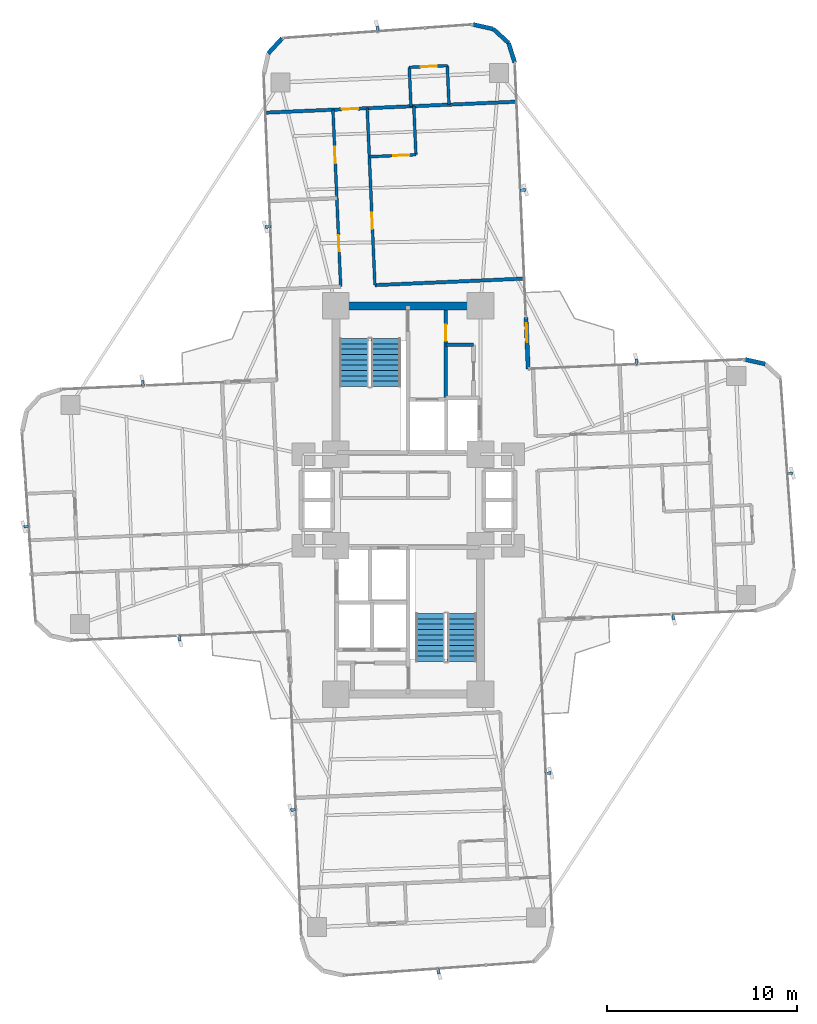
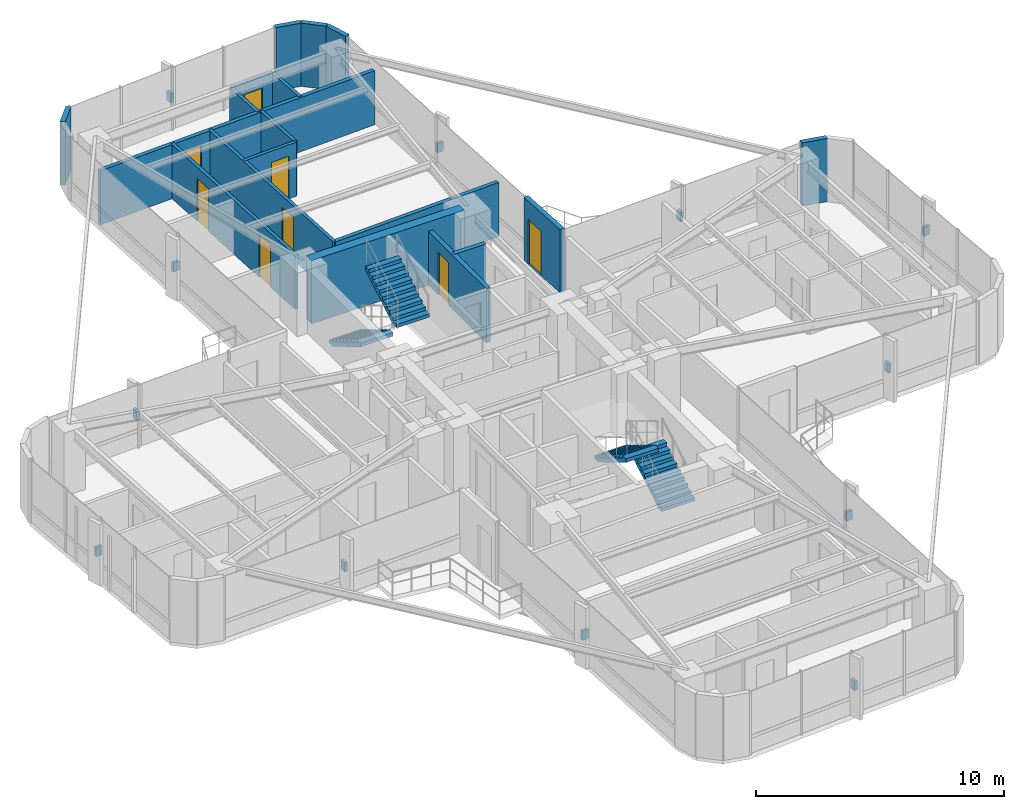
# One storey, part 25 of 26: 18 walls, 12 discrete accessories, 8 doors, 4 stair flights, 8 openings, 2 elements without a shape of their own.
"""IFC4 building model written with IfcOpenShell, lengths in metres."""

import ifcopenshell
import ifcopenshell.guid

model = None  # the IFC model being written
_history = None  # IfcOwnerHistory: only IFC2X3 demands one
_inside = {}  # id of a spatial element -> (the spatial element, [elements in it])
_under = {}  # id of a project, library or spatial element -> (it, [spatial elements below it])
_declared = {}  # id of a project -> (the project, [libraries it declares])
_typed = {}  # id of a type object -> (the type object, [elements of that type])
_made_of = {}  # id of a material, layer set ... -> (it, [elements and type objects made of it])


def new_model(schema):
    """Start an empty IFC model of exactly this schema.

    Asked for "IFC4X3", IfcOpenShell would pick the latest addendum, in which some entities
    have other attributes; the version numbers below select the first issue.
    IFC2X3 requires an IfcOwnerHistory on every rooted entity: one is made here for all.
    """
    global model, _history
    if schema == "IFC4X3":
        model = ifcopenshell.file(schema_version=(4, 3, 0, 0))
    else:
        model = ifcopenshell.file(schema=schema)
    _inside.clear()
    _under.clear()
    _declared.clear()
    _typed.clear()
    _made_of.clear()
    _history = None
    if model.schema == "IFC2X3":
        org = make("IfcOrganization", Name="unknown")
        user = make(
            "IfcPersonAndOrganization",
            ThePerson=make("IfcPerson", FamilyName="unknown"),
            TheOrganization=org,
        )
        app = make(
            "IfcApplication",
            ApplicationDeveloper=org,
            Version="unknown",
            ApplicationFullName="unknown",
            ApplicationIdentifier="unknown",
        )
        _history = make(
            "IfcOwnerHistory",
            OwningUser=user,
            OwningApplication=app,
            ChangeAction="ADDED",
            CreationDate=0,
        )
    return model


def make(cls, **values):
    """One entity of the class cls with the attributes given. An attribute that is None is left unset."""
    return model.create_entity(
        cls, **{name: value for name, value in values.items() if value is not None}
    )


def rooted(cls, **values):
    """An entity with a GlobalId (a new one), such as an element, a storey or a relation."""
    return make(cls, GlobalId=ifcopenshell.guid.new(), OwnerHistory=_history, **values)


def si_unit(unit_type, name, prefix=None):
    """IfcSIUnit, for example si_unit("LENGTHUNIT", "METRE", prefix="MILLI")."""
    return make("IfcSIUnit", UnitType=unit_type, Prefix=prefix, Name=name)


def assignment(units):
    """IfcUnitAssignment: the units of a project."""
    return None if units is None else make("IfcUnitAssignment", Units=units)


def point(xyz):
    """IfcCartesianPoint."""
    return None if xyz is None else make("IfcCartesianPoint", Coordinates=xyz)


def direction(xyz):
    """IfcDirection."""
    return None if xyz is None else make("IfcDirection", DirectionRatios=xyz)


def frame(location, z_axis=None, x_axis=None):
    """IfcAxis2Placement3D, a coordinate frame: its origin and axes. An axis left out is left unset."""
    return make(
        "IfcAxis2Placement3D",
        Location=point(location),
        Axis=direction(z_axis),
        RefDirection=direction(x_axis),
    )


def frame_2d(location, x_axis=None):
    """IfcAxis2Placement2D, a coordinate frame in the plane: its origin and x axis."""
    return make(
        "IfcAxis2Placement2D", Location=point(location), RefDirection=direction(x_axis)
    )


def origin():
    """The frame at (0, 0, 0) with its axes left unset."""
    return frame((0.0, 0.0, 0.0))


def origin_2d():
    """The frame at (0, 0) in the plane with its x axis left unset."""
    return frame_2d((0.0, 0.0))


def place(relative_to, where):
    """IfcLocalPlacement: puts the frame where relative to a parent placement (None: the world)."""
    return make(
        "IfcLocalPlacement", PlacementRelTo=relative_to, RelativePlacement=where
    )


def context(
    kind, dimensions, precision=None, world=None, true_north=None, identifier=None
):
    """IfcGeometricRepresentationContext, for example the 3D "Model" context."""
    return make(
        "IfcGeometricRepresentationContext",
        ContextIdentifier=identifier,
        ContextType=kind,
        CoordinateSpaceDimension=dimensions,
        Precision=precision,
        WorldCoordinateSystem=world,
        TrueNorth=true_north,
    )


def subcontext(parent, identifier, kind, view, scale=None):
    """IfcGeometricRepresentationSubContext, for example "Body" below "Model"."""
    return make(
        "IfcGeometricRepresentationSubContext",
        ContextIdentifier=identifier,
        ContextType=kind,
        ParentContext=parent,
        TargetScale=scale,
        TargetView=view,
    )


def project(units=None, contexts=None):
    """IfcProject with its units and contexts."""
    return rooted(
        "IfcProject",
        Name="project",
        RepresentationContexts=contexts,
        UnitsInContext=assignment(units),
    )


def spatial(cls, under=None, at=None, **own):
    """A site, building, storey or space (cls), placed at a placement, below another one or the project."""
    s = rooted(cls, ObjectPlacement=at, **own)
    if under is not None:
        _under.setdefault(under.id(), (under, []))[1].append(s)
    return s


def polyline(points):
    """IfcPolyline through the points."""
    return make("IfcPolyline", Points=[point(p) for p in points])


def profile(cls, at=None, kind="AREA", **sizes):
    """A parametric profile (cls). Its sizes go by their IFC names, for example OverallWidth=200.0."""
    return make(cls, ProfileType=kind, Position=at, **sizes)


def rectangle(**sizes):
    """IfcRectangleProfileDef."""
    return profile("IfcRectangleProfileDef", **sizes)


def outline(outer, holes=None, kind="AREA"):
    """IfcArbitraryClosedProfileDef: a profile drawn as a closed curve; with holes, ...WithVoids."""
    if holes is None:
        return make("IfcArbitraryClosedProfileDef", ProfileType=kind, OuterCurve=outer)
    return make(
        "IfcArbitraryProfileDefWithVoids",
        ProfileType=kind,
        OuterCurve=outer,
        InnerCurves=holes,
    )


def extrude(swept, where, along, depth):
    """IfcExtrudedAreaSolid: the profile swept, set in the frame where, extruded along a direction by depth."""
    return make(
        "IfcExtrudedAreaSolid",
        SweptArea=swept,
        Position=where,
        ExtrudedDirection=direction(along),
        Depth=depth,
    )


def shape(context_of_items, identifier, shape_type, items):
    """IfcShapeRepresentation: the items that make up one representation, for example the "Body"."""
    return make(
        "IfcShapeRepresentation",
        ContextOfItems=context_of_items,
        RepresentationIdentifier=identifier,
        RepresentationType=shape_type,
        Items=items,
    )


def source(mapping_origin, context_of_items, identifier, shape_type, items):
    """IfcRepresentationMap: a shape defined once, which mapped items show again and again."""
    return make(
        "IfcRepresentationMap",
        MappingOrigin=mapping_origin,
        MappedRepresentation=shape(context_of_items, identifier, shape_type, items),
    )


def transform(
    local_origin,
    x_axis=None,
    y_axis=None,
    z_axis=None,
    scale=None,
    scale2=None,
    scale3=None,
    uniform=True,
):
    """IfcCartesianTransformationOperator3D, or its non-uniform kind. x_axis, y_axis, z_axis: its Axis1, 2, 3."""
    if uniform:
        return make(
            "IfcCartesianTransformationOperator3D",
            Axis1=direction(x_axis),
            Axis2=direction(y_axis),
            LocalOrigin=point(local_origin),
            Scale=scale,
            Axis3=direction(z_axis),
        )
    return make(
        "IfcCartesianTransformationOperator3DnonUniform",
        Axis1=direction(x_axis),
        Axis2=direction(y_axis),
        LocalOrigin=point(local_origin),
        Scale=scale,
        Axis3=direction(z_axis),
        Scale2=scale2,
        Scale3=scale3,
    )


def mapped(mapping_source, mapping_target):
    """IfcMappedItem: shows the shape of a source again, moved by a transform."""
    return make(
        "IfcMappedItem", MappingSource=mapping_source, MappingTarget=mapping_target
    )


def material(Name=None, Category=None):
    """IfcMaterial."""
    return make("IfcMaterial", Name=Name, Category=Category)


def layer(
    of_material, thickness, ventilated=None, Name=None, Category=None, Priority=None
):
    """IfcMaterialLayer: one layer of a wall or slab, of a material (None: an air gap)."""
    return make(
        "IfcMaterialLayer",
        Material=of_material,
        LayerThickness=thickness,
        IsVentilated=ventilated,
        Name=Name,
        Category=Category,
        Priority=Priority,
    )


def layer_set(layers, Name=None):
    """IfcMaterialLayerSet."""
    return make("IfcMaterialLayerSet", MaterialLayers=layers, LayerSetName=Name)


def made_of(thing, what):
    """Note that an element or type object is made of a material, layer set ...; save() writes the relation."""
    if what is not None:
        _made_of.setdefault(what.id(), (what, []))[1].append(thing)
    return thing


def type_object(cls, material=None, **own):
    """A type object (cls), such as IfcWallType, which elements share."""
    return made_of(rooted(cls, **own), material)


def element(
    cls,
    number,
    at=None,
    inside=None,
    cuts=None,
    type_object=None,
    material=None,
    context=None,
    identifier="Body",
    shape_type=None,
    held_by="IfcProductDefinitionShape",
    body=None,
    shapes=None,
    **own,
):
    """One element of the class cls, such as IfcWall. Its Tag is "e" and its number.

    at: its placement. inside: the storey or other place that contains it. cuts: it is an
    opening in that element (IfcRelVoidsElement). A single representation is given by context,
    identifier, shape_type and body (its items); several are given by shapes. held_by: the class
    of the entity that holds the representations. save() writes the other relations.
    """
    e = rooted(cls, Tag="e%d" % number, ObjectPlacement=at, **own)
    if body is not None:
        shapes = [shape(context, identifier, shape_type, body)]
    if shapes is not None:
        e.Representation = make(held_by, Representations=shapes)
    if inside is not None:
        _inside.setdefault(inside.id(), (inside, []))[1].append(e)
    if cuts is not None:
        rooted(
            "IfcRelVoidsElement", RelatingBuildingElement=cuts, RelatedOpeningElement=e
        )
    if type_object is not None:
        _typed.setdefault(type_object.id(), (type_object, []))[1].append(e)
    return made_of(e, material)


def fill(opening, filler):
    """IfcRelFillsElement: the door or window that sits in an opening."""
    return rooted(
        "IfcRelFillsElement",
        RelatingOpeningElement=opening,
        RelatedBuildingElement=filler,
    )


def aggregate(whole, parts):
    """IfcRelAggregates: a whole, such as a stair, and the parts it consists of."""
    return rooted("IfcRelAggregates", RelatingObject=whole, RelatedObjects=parts)


def save(model, path):
    """Write the relations noted so far, then the file.

    IfcRelAggregates (storeys below a building ...), IfcRelContainedInSpatialStructure (elements
    in a storey), IfcRelDefinesByType, IfcRelAssociatesMaterial and IfcRelDeclares: one each for
    every whole, place, type object, material and project.
    """
    for whole, parts in _under.values():
        aggregate(whole, parts)
    for where, things in _inside.values():
        rooted(
            "IfcRelContainedInSpatialStructure",
            RelatedElements=things,
            RelatingStructure=where,
        )
    for kind, things in _typed.values():
        rooted("IfcRelDefinesByType", RelatedObjects=things, RelatingType=kind)
    for what, things in _made_of.values():
        rooted("IfcRelAssociatesMaterial", RelatedObjects=things, RelatingMaterial=what)
    for by, libraries in _declared.values():
        rooted("IfcRelDeclares", RelatingContext=by, RelatedDefinitions=libraries)
    model.write(path)


model = new_model("IFC4")

# Units and contexts
model_context = context("Model", 3, precision=1e-05, world=origin(), true_north=direction((0.0, 1.0)))
body_context = subcontext(model_context, "Body", "Model", "MODEL_VIEW")
ifc_project = project(units=[si_unit("LENGTHUNIT", "METRE"), si_unit("AREAUNIT", "SQUARE_METRE"), si_unit("VOLUMEUNIT", "CUBIC_METRE"), si_unit("PLANEANGLEUNIT", "RADIAN"), si_unit("MASSUNIT", "GRAM", prefix="KILO")], contexts=[model_context])

# Site, building, storey
site_placement = place(None, origin())
site = spatial("IfcSite", under=ifc_project, at=site_placement, CompositionType="ELEMENT")
building_placement = place(site_placement, origin())
building = spatial("IfcBuilding", under=site, at=building_placement, Name="Sahyath Konkavel Grand Hotel", CompositionType="ELEMENT")
storey_placement = place(building_placement, frame((0.0, 0.0, 114.800048828125)))
storey = spatial("IfcBuildingStorey", under=building, at=storey_placement, Name="L31", CompositionType="ELEMENT", Elevation=114.800048828125)

# Walls
ifc_material_1 = material(Name="Concrete C50/60", Category="concrete")
ifc_layer_1 = layer(ifc_material_1, 0.419921875)
ifc_layer_set_1 = layer_set([ifc_layer_1], Name="Concrete C50/60")
wall_type_1 = type_object("IfcWallType", Name="CWALL-420", PredefinedType="SHEAR", material=ifc_layer_set_1)
wall_1_placement = place(storey_placement, frame((-3.550048828125, 10.199951171875, 0.0), z_axis=(0.0, 0.0, 1.0), x_axis=(1.0, 0.0, 0.0)))
element("IfcWall", 1, at=wall_1_placement, inside=storey, type_object=wall_type_1, Name="L31 North Core Shear Wall N", PredefinedType="SHEAR", context=body_context, shape_type="SweptSolid", body=[
    extrude(rectangle(XDim=7.10009765625, YDim=0.419921875, at=frame_2d((3.550048828125, 0.0))), origin(), (0.0, 0.0, 1.0), 3.10986328125),
])
ifc_material_2 = material(Name="Warm Buff Sandstone Insulated Concrete C40/50", Category="masonry")
ifc_layer_2 = layer(ifc_material_2, 0.219970703125)
ifc_layer_set_2 = layer_set([ifc_layer_2], Name="Warm Buff Sandstone Insulated Concrete C40/50")
wall_type_2 = type_object("IfcWallType", Name="WLL-BALC-THRESH", PredefinedType="STANDARD", material=ifc_layer_set_2)
wall_2_placement = place(storey_placement, frame((18.75634765625, 7.1435546875, 0.0), z_axis=(0.0, 0.0, 1.0), x_axis=(-0.976282085775, 0.216502399514, 0.0)))
element("IfcWall", 2, at=wall_2_placement, inside=storey, type_object=wall_type_2, Name="L31 Rounded Corner Sandstone Pier 6", PredefinedType="STANDARD", context=body_context, shape_type="SweptSolid", body=[
    extrude(rectangle(XDim=1.087158203125, YDim=0.219970703125, at=frame_2d((0.54345703125, 0.0))), origin(), (0.0, 0.0, 1.0), 3.10986328125),
])

# Wall, opening, door
wall_3_placement = place(storey_placement, frame((6.305908203125, 6.881591796875, 0.0), z_axis=(0.0, 0.0, 1.0), x_axis=(-0.043672655174, 0.999045894436, 0.0)))
wall_3 = element("IfcWall", 3, at=wall_3_placement, inside=storey, type_object=wall_type_2, Name="L31 Winter-Garden Threshold Wall 8", PredefinedType="STANDARD", context=body_context, shape_type="SweptSolid", body=[
    extrude(rectangle(XDim=2.7001953125, YDim=0.219970703125, at=frame_2d((1.35009765625, 0.0))), origin(), (0.0, 0.0, 1.0), 3.10986328125),
])
opening_1_placement = place(wall_3_placement, frame((1.39990234375, 0.0, 0.0)))
opening_1 = element("IfcOpeningElement", 4, at=opening_1_placement, cuts=wall_3, Name="Opening D-TR1", PredefinedType="OPENING", context=body_context, shape_type="SweptSolid", body=[
    extrude(rectangle(XDim=1.0, YDim=2.199951171875, at=frame_2d((0.5, 1.10009765625))), frame((0.0, 0.1201171875, 0.0), z_axis=(0.0, -1.0, 0.0), x_axis=(1.0, 0.0, 0.0)), (0.0, 0.0, 1.0), 0.239990234375),
])
ifc_material_3 = material(Name="Anodised Bronze Aluminium & Low-E Glazing", Category="aluminium")
door_type_1 = type_object("IfcDoorType", Name="DR-TERRACE-1000", OperationType="NOTDEFINED", PredefinedType="DOOR", material=ifc_material_3)
shared_shape_1 = source(origin(), body_context, "Body", "SweptSolid", [
    extrude(rectangle(XDim=1.0, YDim=0.050048828125, at=origin_2d()), origin(), (0.0, 0.0, 1.0), 2.199951171875),
])
door_1_placement = place(opening_1_placement, frame((0.5, 0.0, 0.0)))
door_1 = element("IfcDoor", 5, at=door_1_placement, inside=storey, type_object=door_type_1, Name="L31 Winter-Garden Terrace Door 8", OperationType="SINGLE_SWING_LEFT", OverallHeight=2.199951171875, OverallWidth=1.0, PredefinedType="DOOR", context=body_context, shape_type="MappedRepresentation", body=[
    mapped(shared_shape_1, transform((0.0, 0.0, 0.0), scale=1.0)),
])
fill(opening_1, door_1)

# Walls
wall_4_placement = place(storey_placement, frame((5.603515625, 22.96630859375, 0.0), z_axis=(0.0, 0.0, 1.0), x_axis=(-0.300755105707, 0.953701403161, 0.0)))
element("IfcWall", 6, at=wall_4_placement, inside=storey, type_object=wall_type_2, Name="L31 Rounded Corner Sandstone Pier 9", PredefinedType="STANDARD", context=body_context, shape_type="SweptSolid", body=[
    extrude(rectangle(XDim=1.0869140625, YDim=0.219970703125, at=frame_2d((0.54345703125, 0.0))), origin(), (0.0, 0.0, 1.0), 3.10986328125),
])
wall_5_placement = place(storey_placement, frame((5.276611328125, 24.0029296875, 0.0), z_axis=(0.0, 0.0, 1.0), x_axis=(-0.737312600672, 0.675551721847, 0.0)))
element("IfcWall", 7, at=wall_5_placement, inside=storey, type_object=wall_type_2, Name="L31 Rounded Corner Sandstone Pier 10", PredefinedType="STANDARD", context=body_context, shape_type="SweptSolid", body=[
    extrude(rectangle(XDim=1.087158203125, YDim=0.219970703125, at=frame_2d((0.54345703125, 0.0))), origin(), (0.0, 0.0, 1.0), 3.10986328125),
])
for number, where, z_axis, x_axis, name in (
    (8, (4.47509765625, 24.7373046875, 0.0), (0.0, 0.0, 1.0), (-0.976271555154, 0.216549880158, 0.0), "L31 Rounded Corner Sandstone Pier 11"),
    (9, (-6.6142578125, 24.253173828125, 0.0), (0.0, 0.0, 1.0), (-0.675663596772, -0.737210081318, 0.0), "L31 Rounded Corner Sandstone Pier 13"),
):
    element("IfcWall", number, at=place(storey_placement, frame(where, z_axis=z_axis, x_axis=x_axis)), inside=storey, type_object=wall_type_2, Name=name, PredefinedType="STANDARD", context=body_context, shape_type="SweptSolid", body=[
        extrude(rectangle(XDim=1.0869140625, YDim=0.219970703125, at=frame_2d((0.54345703125, 0.0))), origin(), (0.0, 0.0, 1.0), 3.10986328125),
    ])

# Wall, opening, door
ifc_material_4 = material(Name="Concrete C40/50", Category="concrete")
ifc_layer_3 = layer(ifc_material_4, 0.199951171875)
ifc_layer_set_3 = layer_set([ifc_layer_3], Name="Concrete C40/50")
wall_type_3 = type_object("IfcWallType", Name="WLL-CORE-200", PredefinedType="SOLIDWALL", material=ifc_layer_set_3)
wall_6_placement = place(storey_placement, frame((1.97998046875, 5.320068359375, 0.0), z_axis=(0.0, 0.0, 1.0), x_axis=(0.0, 1.0, 0.0)))
wall_6 = element("IfcWall", 10, at=wall_6_placement, inside=storey, type_object=wall_type_3, Name="L31 North Firefighting Lobby Wall E", PredefinedType="SOLIDWALL", context=body_context, shape_type="SweptSolid", body=[
    extrude(rectangle(XDim=4.659912109375, YDim=0.199951171875, at=frame_2d((2.330078125, 0.0))), origin(), (0.0, 0.0, 1.0), 2.659912109375),
])
opening_2_placement = place(wall_6_placement, frame((3.0400390625, 0.0, 0.0)))
opening_2 = element("IfcOpeningElement", 11, at=opening_2_placement, cuts=wall_6, Name="Opening D-F12D", PredefinedType="OPENING", context=body_context, shape_type="SweptSolid", body=[
    extrude(rectangle(XDim=0.85009765625, YDim=2.10009765625, at=frame_2d((0.425048828125, 1.050048828125))), frame((0.0, 0.10986328125, 0.0), z_axis=(0.0, -1.0, 0.0), x_axis=(1.0, 0.0, 0.0)), (0.0, 0.0, 1.0), 0.219970703125),
])
ifc_material_5 = material(Name="Steel E350 Core Fire Door", Category="steel")
door_type_2 = type_object("IfcDoorType", Name="DR-FD120-850", OperationType="NOTDEFINED", PredefinedType="DOOR", material=ifc_material_5)
shared_shape_2 = source(origin(), body_context, "Body", "SweptSolid", [
    extrude(rectangle(XDim=0.85009765625, YDim=0.050048828125, at=origin_2d()), origin(), (0.0, 0.0, 1.0), 2.10009765625),
])
door_2_placement = place(opening_2_placement, frame((0.425048828125, 0.0, 0.0)))
door_2 = element("IfcDoor", 12, at=door_2_placement, inside=storey, type_object=door_type_2, Name="L31 North Firefighting Lobby Door", OperationType="SINGLE_SWING_LEFT", OverallHeight=2.10009765625, OverallWidth=0.85009765625, PredefinedType="DOOR", context=body_context, shape_type="MappedRepresentation", body=[
    mapped(shared_shape_2, transform((0.0, 0.0, 0.0), scale=1.0)),
])
fill(opening_2, door_2)

# Walls
wall_7_placement = place(storey_placement, frame((1.97998046875, 8.14990234375, 0.0), z_axis=(0.0, 0.0, 1.0), x_axis=(1.0, 0.0, 0.0)))
element("IfcWall", 13, at=wall_7_placement, inside=storey, type_object=wall_type_3, Name="L31 Partition NC-REC-N", PredefinedType="SOLIDWALL", context=body_context, shape_type="SweptSolid", body=[
    extrude(rectangle(XDim=1.4599609375, YDim=0.199951171875, at=frame_2d((0.72998046875, 0.0))), origin(), (0.0, 0.0, 1.0), 2.659912109375),
])
ifc_material_6 = material(Name="Twin-Stud Acoustic Gypsum Plasterboard Partition")
ifc_layer_4 = layer(ifc_material_6, 0.179931640625)
ifc_layer_set_4 = layer_set([ifc_layer_4], Name="Twin-Stud Acoustic Gypsum Plasterboard Partition")
wall_type_4 = type_object("IfcWallType", Name="WLL-DEMISE-180", PredefinedType="PARTITIONING", material=ifc_layer_set_4)
wall_8_placement = place(storey_placement, frame((6.048583984375, 11.625, 0.0), z_axis=(0.0, 0.0, 1.0), x_axis=(-0.999047634936, -0.043632821702, 0.0)))
element("IfcWall", 14, at=wall_8_placement, inside=storey, type_object=wall_type_4, Name="L31 Partition N-INR", PredefinedType="PARTITIONING", context=body_context, shape_type="SweptSolid", body=[
    extrude(rectangle(XDim=7.7998046875, YDim=0.179931640625, at=frame_2d((3.89990234375, 0.0))), origin(), (0.0, 0.0, 1.0), 2.659912109375),
])

# Wall, opening, door
wall_9_placement = place(storey_placement, frame((5.64306640625, 20.916015625, 0.0), z_axis=(0.0, 0.0, 1.0), x_axis=(-0.999047841598, -0.043628089563, 0.0)))
wall_9 = element("IfcWall", 15, at=wall_9_placement, inside=storey, type_object=wall_type_4, Name="L31 Partition N-NTIP-END", PredefinedType="PARTITIONING", context=body_context, shape_type="SweptSolid", body=[
    extrude(rectangle(XDim=13.10009765625, YDim=0.179931640625, at=frame_2d((6.550048828125, 0.0))), origin(), (0.0, 0.0, 1.0), 2.659912109375),
])
opening_3_placement = place(wall_9_placement, frame((8.27490234375, 0.0, 0.0)))
opening_3 = element("IfcOpeningElement", 16, at=opening_3_placement, cuts=wall_9, Name="Opening D-F06D", PredefinedType="OPENING", context=body_context, shape_type="SweptSolid", body=[
    extrude(rectangle(XDim=0.85009765625, YDim=2.10009765625, at=frame_2d((0.425048828125, 1.050048828125))), frame((0.0, 0.10009765625, 0.0), z_axis=(0.0, -1.0, 0.0), x_axis=(1.0, 0.0, 0.0)), (0.0, 0.0, 1.0), 0.199951171875),
])
ifc_material_7 = material(Name="Fire-Rated Shaft Access Door")
door_type_3 = type_object("IfcDoorType", Name="DR-FD60-850", OperationType="NOTDEFINED", PredefinedType="DOOR", material=ifc_material_7)
door_3_placement = place(opening_3_placement, frame((0.425048828125, 0.0, 0.0)))
door_3 = element("IfcDoor", 17, at=door_3_placement, inside=storey, type_object=door_type_3, Name="L31 Door N-NTIP-ED", OperationType="SINGLE_SWING_RIGHT", OverallHeight=2.10009765625, OverallWidth=0.85009765625, PredefinedType="DOOR", context=body_context, shape_type="MappedRepresentation", body=[
    mapped(shared_shape_2, transform((0.0, 0.0, 0.0), scale=1.0)),
])
fill(opening_3, door_3)

# Wall, openings, doors
ifc_material_8 = material(Name="Fire-Rated Gypsum Plasterboard Partition")
ifc_layer_5 = layer(ifc_material_8, 0.14990234375)
ifc_layer_set_5 = layer_set([ifc_layer_5], Name="Fire-Rated Gypsum Plasterboard Partition")
wall_type_5 = type_object("IfcWallType", Name="WLL-PART-150", PredefinedType="PARTITIONING", material=ifc_layer_set_5)
wall_10_placement = place(storey_placement, frame((-3.542236328125, 11.206298828125, 0.0), z_axis=(0.0, 0.0, 1.0), x_axis=(-0.043604692074, 0.999048863084, 0.0)))
wall_10 = element("IfcWall", 18, at=wall_10_placement, inside=storey, type_object=wall_type_5, Name="L31 Partition N-CL", PredefinedType="PARTITIONING", context=body_context, shape_type="SweptSolid", body=[
    extrude(rectangle(XDim=9.2998046875, YDim=0.14990234375, at=frame_2d((4.64990234375, 0.0))), origin(), (0.0, 0.0, 1.0), 2.659912109375),
])
opening_4_placement = place(wall_10_placement, frame((1.85009765625, 0.0, 0.0)))
opening_4 = element("IfcOpeningElement", 19, at=opening_4_placement, cuts=wall_10, Name="Opening D-F06D", PredefinedType="OPENING", context=body_context, shape_type="SweptSolid", body=[
    extrude(rectangle(XDim=0.85009765625, YDim=2.10009765625, at=frame_2d((0.425048828125, 1.050048828125))), frame((0.0, 0.0849609375, 0.0), z_axis=(0.0, -1.0, 0.0), x_axis=(1.0, 0.0, 0.0)), (0.0, 0.0, 1.0), 0.169921875),
])
opening_5_placement = place(wall_10_placement, frame((6.5, 0.0, 0.0)))
opening_5 = element("IfcOpeningElement", 20, at=opening_5_placement, cuts=wall_10, Name="Opening D-F06D", PredefinedType="OPENING", context=body_context, shape_type="SweptSolid", body=[
    extrude(rectangle(XDim=0.85009765625, YDim=2.10009765625, at=frame_2d((0.425048828125, 1.050048828125))), frame((0.0, 0.0849609375, 0.0), z_axis=(0.0, -1.0, 0.0), x_axis=(1.0, 0.0, 0.0)), (0.0, 0.0, 1.0), 0.169921875),
])
door_4_placement = place(opening_4_placement, frame((0.425048828125, 0.0, 0.0)))
door_4 = element("IfcDoor", 21, at=door_4_placement, inside=storey, type_object=door_type_3, Name="L31 Door N-N4L1-D", OperationType="SINGLE_SWING_LEFT", OverallHeight=2.10009765625, OverallWidth=0.85009765625, PredefinedType="DOOR", context=body_context, shape_type="MappedRepresentation", body=[
    mapped(shared_shape_2, transform((0.0, 0.0, 0.0), scale=1.0)),
])
fill(opening_4, door_4)
door_5_placement = place(opening_5_placement, frame((0.425048828125, 0.0, 0.0)))
door_5 = element("IfcDoor", 22, at=door_5_placement, inside=storey, type_object=door_type_3, Name="L31 Door N-N4L2-D", OperationType="SINGLE_SWING_RIGHT", OverallHeight=2.10009765625, OverallWidth=0.85009765625, PredefinedType="DOOR", context=body_context, shape_type="MappedRepresentation", body=[
    mapped(shared_shape_2, transform((0.0, 0.0, 0.0), scale=1.0)),
])
fill(opening_5, door_5)

# Wall, opening, door
wall_11_placement = place(storey_placement, frame((-1.743896484375, 11.28466796875, 0.0), z_axis=(0.0, 0.0, 1.0), x_axis=(-0.043630894187, 0.999047719117, 0.0)))
wall_11 = element("IfcWall", 23, at=wall_11_placement, inside=storey, type_object=wall_type_5, Name="L31 Partition N-CR", PredefinedType="PARTITIONING", context=body_context, shape_type="SweptSolid", body=[
    extrude(rectangle(XDim=9.2998046875, YDim=0.14990234375, at=frame_2d((4.64990234375, 0.0))), origin(), (0.0, 0.0, 1.0), 2.659912109375),
])
opening_6_placement = place(wall_11_placement, frame((2.949951171875, 0.0, 0.0)))
opening_6 = element("IfcOpeningElement", 24, at=opening_6_placement, cuts=wall_11, Name="Opening D-F06D", PredefinedType="OPENING", context=body_context, shape_type="SweptSolid", body=[
    extrude(rectangle(XDim=0.85009765625, YDim=2.10009765625, at=frame_2d((0.425048828125, 1.050048828125))), frame((0.0, 0.0849609375, 0.0), z_axis=(0.0, -1.0, 0.0), x_axis=(1.0, 0.0, 0.0)), (0.0, 0.0, 1.0), 0.169921875),
])
door_6_placement = place(opening_6_placement, frame((0.425048828125, 0.0, 0.0)))
door_6 = element("IfcDoor", 25, at=door_6_placement, inside=storey, type_object=door_type_3, Name="L31 Door N-N4R1-ED", OperationType="SINGLE_SWING_RIGHT", OverallHeight=2.10009765625, OverallWidth=0.85009765625, PredefinedType="DOOR", context=body_context, shape_type="MappedRepresentation", body=[
    mapped(shared_shape_2, transform((0.0, 0.0, 0.0), scale=1.0)),
])
fill(opening_6, door_6)

wall_12_placement = place(storey_placement, frame((-2.038330078125, 18.0283203125, 0.0), z_axis=(0.0, 0.0, 1.0), x_axis=(0.999051263243, 0.043549666039, 0.0)))
wall_12 = element("IfcWall", 26, at=wall_12_placement, inside=storey, type_object=wall_type_5, Name="L31 Partition N-N4R1-BS", PredefinedType="PARTITIONING", context=body_context, shape_type="SweptSolid", body=[
    extrude(rectangle(XDim=2.449951171875, YDim=0.14990234375, at=frame_2d((1.22509765625, 0.0))), origin(), (0.0, 0.0, 1.0), 2.659912109375),
])
opening_7_placement = place(wall_12_placement, frame((1.25, 0.0, 0.0)))
opening_7 = element("IfcOpeningElement", 27, at=opening_7_placement, cuts=wall_12, Name="Opening D-BT85", PredefinedType="OPENING", context=body_context, shape_type="SweptSolid", body=[
    extrude(rectangle(XDim=0.85009765625, YDim=2.10009765625, at=frame_2d((0.425048828125, 1.050048828125))), frame((0.0, 0.0849609375, 0.0), z_axis=(0.0, -1.0, 0.0), x_axis=(1.0, 0.0, 0.0)), (0.0, 0.0, 1.0), 0.169921875),
])
ifc_material_9 = material(Name="Moisture-Resistant Teak Bathroom Door")
door_type_4 = type_object("IfcDoorType", Name="DR-BATH-850", OperationType="NOTDEFINED", PredefinedType="DOOR", material=ifc_material_9)
door_7_placement = place(opening_7_placement, frame((0.425048828125, 0.0, 0.0)))
door_7 = element("IfcDoor", 28, at=door_7_placement, inside=storey, type_object=door_type_4, Name="L31 Door N-N4R1-BD", OperationType="SINGLE_SWING_LEFT", OverallHeight=2.10009765625, OverallWidth=0.85009765625, PredefinedType="DOOR", context=body_context, shape_type="MappedRepresentation", body=[
    mapped(shared_shape_2, transform((0.0, 0.0, 0.0), scale=1.0)),
])
fill(opening_7, door_7)

# Walls
wall_13_placement = place(storey_placement, frame((0.4091796875, 18.135009765625, 0.0), z_axis=(0.0, 0.0, 1.0), x_axis=(-0.043561867058, 0.999050731314, 0.0)))
element("IfcWall", 29, at=wall_13_placement, inside=storey, type_object=wall_type_5, Name="L31 Partition N-N4R1-BF", PredefinedType="PARTITIONING", context=body_context, shape_type="SweptSolid", body=[
    extrude(rectangle(XDim=2.550048828125, YDim=0.14990234375, at=frame_2d((1.27490234375, 0.0))), origin(), (0.0, 0.0, 1.0), 2.659912109375),
])
wall_14_placement = place(storey_placement, frame((0.148193359375, 20.676025390625, 0.0), z_axis=(0.0, 0.0, 1.0), x_axis=(-0.043587097972, 0.999049630844, 0.0)))
element("IfcWall", 30, at=wall_14_placement, inside=storey, type_object=wall_type_5, Name="L31 Partition N-NTIP-BN", PredefinedType="PARTITIONING", context=body_context, shape_type="SweptSolid", body=[
    extrude(rectangle(XDim=2.050048828125, YDim=0.14990234375, at=frame_2d((1.02490234375, 0.0))), origin(), (0.0, 0.0, 1.0), 2.659912109375),
])
wall_15_placement = place(storey_placement, frame((2.146484375, 20.763427734375, 0.0), z_axis=(0.0, 0.0, 1.0), x_axis=(-0.043711161805, 0.9990442104, 0.0)))
element("IfcWall", 31, at=wall_15_placement, inside=storey, type_object=wall_type_5, Name="L31 Partition N-NTIP-BS", PredefinedType="PARTITIONING", context=body_context, shape_type="SweptSolid", body=[
    extrude(rectangle(XDim=2.0498046875, YDim=0.14990234375, at=frame_2d((1.02490234375, 0.0))), origin(), (0.0, 0.0, 1.0), 2.659912109375),
])

# Wall, opening, door
wall_16_placement = place(storey_placement, frame((2.056884765625, 22.811279296875, 0.0), z_axis=(0.0, 0.0, 1.0), x_axis=(-0.999049929275, -0.043580257179, 0.0)))
wall_16 = element("IfcWall", 32, at=wall_16_placement, inside=storey, type_object=wall_type_5, Name="L31 Partition N-NTIP-BE", PredefinedType="PARTITIONING", context=body_context, shape_type="SweptSolid", body=[
    extrude(rectangle(XDim=2.0, YDim=0.14990234375, at=frame_2d((1.0, 0.0))), origin(), (0.0, 0.0, 1.0), 2.659912109375),
])
opening_8_placement = place(wall_16_placement, frame((0.550048828125, 0.0, 0.0)))
opening_8 = element("IfcOpeningElement", 33, at=opening_8_placement, cuts=wall_16, Name="Opening D-BT85", PredefinedType="OPENING", context=body_context, shape_type="SweptSolid", body=[
    extrude(rectangle(XDim=0.85009765625, YDim=2.10009765625, at=frame_2d((0.425048828125, 1.050048828125))), frame((0.0, 0.0849609375, 0.0), z_axis=(0.0, -1.0, 0.0), x_axis=(1.0, 0.0, 0.0)), (0.0, 0.0, 1.0), 0.169921875),
])
door_8_placement = place(opening_8_placement, frame((0.425048828125, 0.0, 0.0)))
door_8 = element("IfcDoor", 34, at=door_8_placement, inside=storey, type_object=door_type_4, Name="L31 Door N-NTIP-BD", OperationType="SINGLE_SWING_LEFT", OverallHeight=2.10009765625, OverallWidth=0.85009765625, PredefinedType="DOOR", context=body_context, shape_type="MappedRepresentation", body=[
    mapped(shared_shape_2, transform((0.0, 0.0, 0.0), scale=1.0)),
])
fill(opening_8, door_8)

# Stair, stair flights
stair_type = type_object("IfcStairType", Name="STR-ST16-335", PredefinedType="HALF_TURN_STAIR", material=ifc_material_4)
stair_1_placement = place(storey_placement, origin())
stair_1 = element("IfcStair", 35, at=stair_1_placement, inside=storey, type_object=stair_type, Name="L31 North Core Smokeproof Exit Stair ST-1", PredefinedType="HALF_TURN_STAIR")
stair_flight_type = type_object("IfcStairFlightType", Name="STF-ST16-335", PredefinedType="STRAIGHT", material=ifc_material_4)
stair_flight_1_placement = place(storey_placement, frame((-2.840087890625, 8.47998046875, 0.0), z_axis=(0.0, 0.0, 1.0), x_axis=(0.0, -1.0, 0.0)))
stair_flight_1 = element("IfcStairFlight", 36, at=stair_flight_1_placement, type_object=stair_flight_type, Name="ST-1 flight 1", NumberOfRisers=10, NumberOfTreads=9, PredefinedType="STRAIGHT", RiserHeight=0.1675, TreadLength=0.28, context=body_context, shape_type="SweptSolid", body=[
    extrude(outline(polyline([(0.0, 0.0), (0.0, 0.16748046875), (0.280029296875, 0.16748046875), (0.280029296875, 0.3349609375), (0.56005859375, 0.3349609375), (0.56005859375, 0.50244140625), (0.840087890625, 0.50244140625), (0.840087890625, 0.669921875), (1.1201171875, 0.669921875), (1.1201171875, 0.83740234375), (1.39990234375, 0.83740234375), (1.39990234375, 1.0048828125), (1.679931640625, 1.0048828125), (1.679931640625, 1.172607421875), (1.9599609375, 1.172607421875), (1.9599609375, 1.340087890625), (2.239990234375, 1.340087890625), (2.239990234375, 1.507568359375), (2.52001953125, 1.507568359375), (2.52001953125, 1.675048828125), (2.52001953125, 1.332763671875), (0.2919921875, 0.0), (0.0, 0.0)])), frame((0.0, 0.760009765625, 0.0), z_axis=(0.0, -1.0, 0.0), x_axis=(1.0, 0.0, 0.0)), (0.0, 0.0, 1.0), 1.52001953125),
])
stair_flight_2_placement = place(storey_placement, frame((-1.159912109375, 5.9599609375, 1.675048828125), z_axis=(0.0, 0.0, 1.0), x_axis=(0.0, 1.0, 0.0)))
stair_flight_2 = element("IfcStairFlight", 37, at=stair_flight_2_placement, type_object=stair_flight_type, Name="ST-1 flight 2", NumberOfRisers=10, NumberOfTreads=9, PredefinedType="STRAIGHT", RiserHeight=0.1675, TreadLength=0.28, context=body_context, shape_type="SweptSolid", body=[
    extrude(outline(polyline([(0.0, 0.0), (0.0, 0.16748046875), (0.280029296875, 0.16748046875), (0.280029296875, 0.3349609375), (0.56005859375, 0.3349609375), (0.56005859375, 0.50244140625), (0.840087890625, 0.50244140625), (0.840087890625, 0.669921875), (1.1201171875, 0.669921875), (1.1201171875, 0.83740234375), (1.39990234375, 0.83740234375), (1.39990234375, 1.0048828125), (1.679931640625, 1.0048828125), (1.679931640625, 1.172607421875), (1.9599609375, 1.172607421875), (1.9599609375, 1.340087890625), (2.239990234375, 1.340087890625), (2.239990234375, 1.507568359375), (2.52001953125, 1.507568359375), (2.52001953125, 1.675048828125), (2.52001953125, 1.332763671875), (0.2919921875, 0.0), (0.0, 0.0)])), frame((0.0, 0.760009765625, 0.0), z_axis=(0.0, -1.0, 0.0), x_axis=(1.0, 0.0, 0.0)), (0.0, 0.0, 1.0), 1.52001953125),
])
aggregate(stair_1, [stair_flight_1, stair_flight_2])

stair_2_placement = place(storey_placement, origin())
stair_2 = element("IfcStair", 38, at=stair_2_placement, inside=storey, type_object=stair_type, Name="L31 South Core Smokeproof Exit Stair ST-2", PredefinedType="HALF_TURN_STAIR")
stair_flight_3_placement = place(storey_placement, frame((2.840087890625, -8.47998046875, 0.0), z_axis=(0.0, 0.0, 1.0), x_axis=(0.0, 1.0, 0.0)))
stair_flight_3 = element("IfcStairFlight", 39, at=stair_flight_3_placement, type_object=stair_flight_type, Name="ST-2 flight 1", NumberOfRisers=10, NumberOfTreads=9, PredefinedType="STRAIGHT", RiserHeight=0.1675, TreadLength=0.28, context=body_context, shape_type="SweptSolid", body=[
    extrude(outline(polyline([(0.0, 0.0), (0.0, 0.16748046875), (0.280029296875, 0.16748046875), (0.280029296875, 0.3349609375), (0.56005859375, 0.3349609375), (0.56005859375, 0.50244140625), (0.840087890625, 0.50244140625), (0.840087890625, 0.669921875), (1.1201171875, 0.669921875), (1.1201171875, 0.83740234375), (1.39990234375, 0.83740234375), (1.39990234375, 1.0048828125), (1.679931640625, 1.0048828125), (1.679931640625, 1.172607421875), (1.9599609375, 1.172607421875), (1.9599609375, 1.340087890625), (2.239990234375, 1.340087890625), (2.239990234375, 1.507568359375), (2.52001953125, 1.507568359375), (2.52001953125, 1.675048828125), (2.52001953125, 1.332763671875), (0.2919921875, 0.0), (0.0, 0.0)])), frame((0.0, 0.760009765625, 0.0), z_axis=(0.0, -1.0, 0.0), x_axis=(1.0, 0.0, 0.0)), (0.0, 0.0, 1.0), 1.52001953125),
])
stair_flight_4_placement = place(storey_placement, frame((1.159912109375, -5.9599609375, 1.675048828125), z_axis=(0.0, 0.0, 1.0), x_axis=(0.0, -1.0, 0.0)))
stair_flight_4 = element("IfcStairFlight", 40, at=stair_flight_4_placement, type_object=stair_flight_type, Name="ST-2 flight 2", NumberOfRisers=10, NumberOfTreads=9, PredefinedType="STRAIGHT", RiserHeight=0.1675, TreadLength=0.28, context=body_context, shape_type="SweptSolid", body=[
    extrude(outline(polyline([(0.0, 0.0), (0.0, 0.16748046875), (0.280029296875, 0.16748046875), (0.280029296875, 0.3349609375), (0.56005859375, 0.3349609375), (0.56005859375, 0.50244140625), (0.840087890625, 0.50244140625), (0.840087890625, 0.669921875), (1.1201171875, 0.669921875), (1.1201171875, 0.83740234375), (1.39990234375, 0.83740234375), (1.39990234375, 1.0048828125), (1.679931640625, 1.0048828125), (1.679931640625, 1.172607421875), (1.9599609375, 1.172607421875), (1.9599609375, 1.340087890625), (2.239990234375, 1.340087890625), (2.239990234375, 1.507568359375), (2.52001953125, 1.507568359375), (2.52001953125, 1.675048828125), (2.52001953125, 1.332763671875), (0.2919921875, 0.0), (0.0, 0.0)])), frame((0.0, 0.760009765625, 0.0), z_axis=(0.0, -1.0, 0.0), x_axis=(1.0, 0.0, 0.0)), (0.0, 0.0, 1.0), 1.52001953125),
])
aggregate(stair_2, [stair_flight_3, stair_flight_4])

# Discrete accessories
ifc_material_10 = material(Name="Steel E350", Category="steel")
discrete_accessory_type = type_object("IfcDiscreteAccessoryType", Name="ACC-FIN-BRACKET", PredefinedType="BRACKET", material=ifc_material_10)
shared_shape_3 = source(origin(), body_context, "Body", "SweptSolid", [
    extrude(rectangle(XDim=0.280029296875, YDim=0.139892578125, at=origin_2d()), origin(), (0.0, 0.0, 1.0), 0.449951171875),
])
for number, where, z_axis, x_axis, name in (
    (41, (13.9306640625, -6.128173828125, 1.330078125), (0.0, 0.0, 1.0), (0.043601950678, -0.999048982732, 0.0), "L31 Fin Support Bracket F0-1"),
    (42, (20.047119140625, 1.404296875, 1.330078125), (0.0, 0.0, 1.0), (0.997435789037, 0.071567078661, 0.0), "L31 Fin Support Bracket F4-2"),
    (43, (11.99462890625, 7.26025390625, 1.330078125), (0.0, 0.0, 1.0), (-0.043619387365, 0.999048221582, 0.0), "L31 Fin Support Bracket F7-1"),
    (44, (6.025634765625, 16.2783203125, 1.330078125), (0.0, 0.0, 1.0), (0.999048221582, 0.043619387365, 0.0), "L31 Fin Support Bracket F8-1"),
    (45, (-1.609375, 24.74267578125, 1.330078125), (0.0, 0.0, 1.0), (-0.071567078661, 0.997435789037, 0.0), "L31 Fin Support Bracket F12-2"),
    (46, (-7.362548828125, 14.342529296875, 1.330078125), (0.0, 0.0, 1.0), (-0.999048221582, -0.043619387365, 0.0), "L31 Fin Support Bracket F15-1"),
    (47, (-13.9306640625, 6.128173828125, 1.330078125), (0.0, 0.0, 1.0), (-0.043601950678, 0.999048982732, 0.0), "L31 Fin Support Bracket F16-1"),
    (48, (-20.047119140625, -1.404296875, 1.330078125), (0.0, 0.0, 1.0), (-0.997435789037, -0.071567078661, 0.0), "L31 Fin Support Bracket F20-2"),
    (49, (-11.99462890625, -7.26025390625, 1.330078125), (0.0, 0.0, 1.0), (0.043619387365, -0.999048221582, 0.0), "L31 Fin Support Bracket F23-1"),
    (50, (-6.025634765625, -16.2783203125, 1.330078125), (0.0, 0.0, 1.0), (-0.999048221582, -0.043619387365, 0.0), "L31 Fin Support Bracket F24-1"),
    (51, (1.609375, -24.74267578125, 1.330078125), (0.0, 0.0, 1.0), (0.071567078661, -0.997435789037, 0.0), "L31 Fin Support Bracket F28-2"),
    (52, (7.362548828125, -14.342529296875, 1.330078125), (0.0, 0.0, 1.0), (0.999048221582, 0.043619387365, 0.0), "L31 Fin Support Bracket F31-1"),
):
    element("IfcDiscreteAccessory", number, at=place(storey_placement, frame(where, z_axis=z_axis, x_axis=x_axis)), inside=storey, type_object=discrete_accessory_type, Name=name, PredefinedType="BRACKET", context=body_context, shape_type="MappedRepresentation", body=[
        mapped(shared_shape_3, transform((0.0, 0.0, 0.0), scale=1.0)),
    ])

save(model, "model.ifc")
